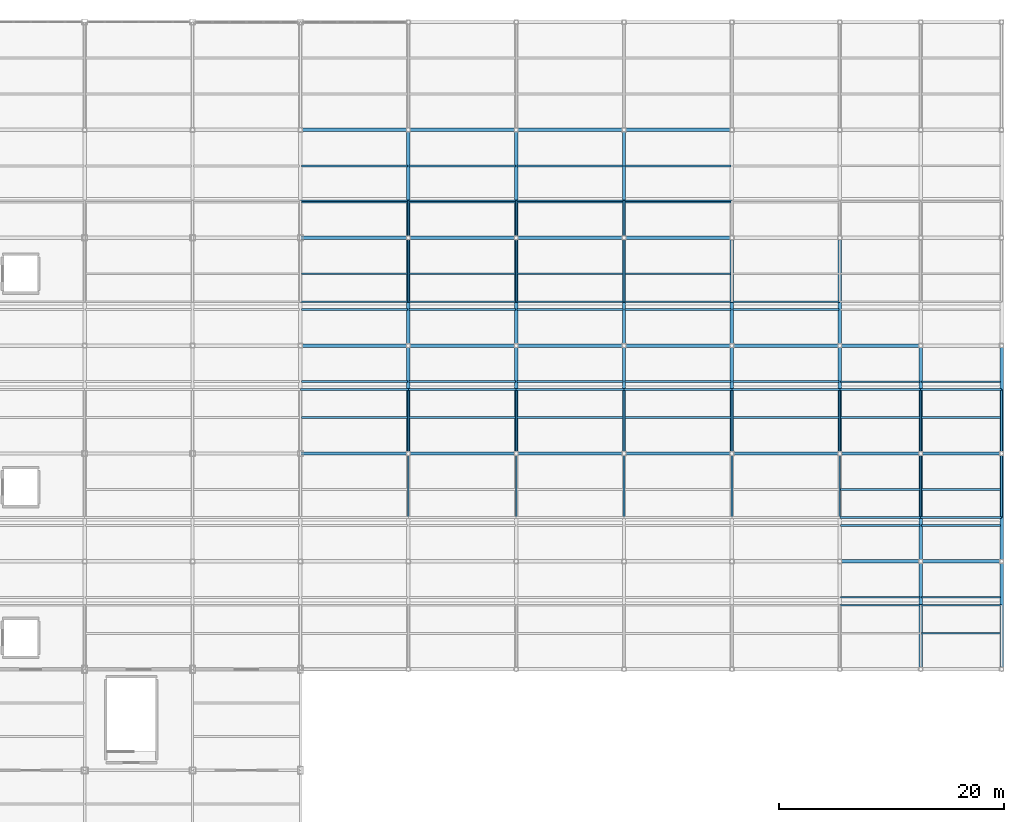
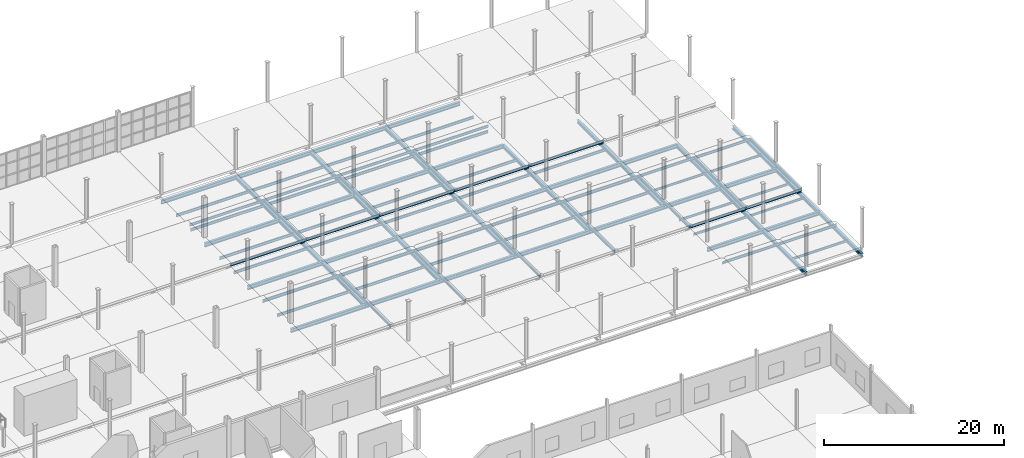
# One storey, part 42 of 85: 110 beams.
"""IFC4 building model written with IfcOpenShell, lengths in metres."""

from ifc_helpers import new_model, si_unit, direction, frame, origin, origin_2d, place, context, subcontext, project, spatial, i_section, extrude, material, material_profile, profile_set, type_object, element, save


model = new_model("IFC4")

# Units and contexts
model_context = context("Model", 3, precision=1e-05, world=origin(), true_north=direction((0.0, 1.0)))
body_context = subcontext(model_context, "Body", "Model", "MODEL_VIEW")
ifc_project = project(units=[si_unit("LENGTHUNIT", "METRE"), si_unit("AREAUNIT", "SQUARE_METRE"), si_unit("VOLUMEUNIT", "CUBIC_METRE"), si_unit("PLANEANGLEUNIT", "RADIAN"), si_unit("MASSUNIT", "GRAM", prefix="KILO")], contexts=[model_context])

# Site, building, storey
site_placement = place(None, origin())
site = spatial("IfcSite", under=ifc_project, at=site_placement, CompositionType="ELEMENT")
building_placement = place(site_placement, origin())
building = spatial("IfcBuilding", under=site, at=building_placement, Name="Zarnetskaya Central Station", CompositionType="ELEMENT")
storey_placement = place(building_placement, origin())
storey = spatial("IfcBuildingStorey", under=building, at=storey_placement, Name="L00", CompositionType="ELEMENT", Elevation=0.0)

# Beams
ifc_material = material(Name="Steel S355", Category="steel")
ifc_material_profile_1 = material_profile(ifc_material, i_section(OverallWidth=0.14990234375, OverallDepth=0.300048828125, WebThickness=0.007080078125, FlangeThickness=0.0107421875, FilletRadius=0.014892578125, at=origin_2d()), Name="IPE 300")
ifc_profile_set_1 = profile_set([ifc_material_profile_1], Name="Steel S355")
beam_type_1 = type_object("IfcBeamType", Name="BM-SEC-300", PredefinedType="BEAM", material=ifc_profile_set_1)
for number, where, z_axis, x_axis, name in (
    (1, (172.8798828125, 73.60009765625, -1.06005859375), (1.0, 0.0, 0.0), (0.0, 1.0, 0.0), "Secondary floor beam SEC-L00-Z91-UV-910-2"),
    (2, (172.8798828125, 80.0, -1.06005859375), (1.0, 0.0, 0.0), (0.0, 1.0, 0.0), "Secondary floor beam SEC-L00-Z91-UV-1011-1"),
    (3, (172.8798828125, 83.199951171875, -1.06005859375), (1.0, 0.0, 0.0), (0.0, 1.0, 0.0), "Secondary floor beam SEC-L00-Z91-UV-1011-2"),
    (4, (172.8798828125, 89.60009765625, -1.06005859375), (1.0, 0.0, 0.0), (0.0, 1.0, 0.0), "Secondary floor beam SEC-L00-Z91-UV-1112-1"),
    (5, (172.8798828125, 92.800048828125, -1.06005859375), (1.0, 0.0, 0.0), (0.0, 1.0, 0.0), "Secondary floor beam SEC-L00-Z91-UV-1112-2"),
    (6, (180.080078125, 70.39990234375, -1.06005859375), (1.0, 0.0, 0.0), (0.0, 1.0, 0.0), "Secondary floor beam SEC-L00-Z91-VW-910-1"),
    (7, (180.080078125, 73.60009765625, -1.06005859375), (1.0, 0.0, 0.0), (0.0, 1.0, 0.0), "Secondary floor beam SEC-L00-Z91-VW-910-2"),
    (8, (180.080078125, 80.0, -1.06005859375), (1.0, 0.0, 0.0), (0.0, 1.0, 0.0), "Secondary floor beam SEC-L00-Z91-VW-1011-1"),
    (9, (180.080078125, 83.199951171875, -1.06005859375), (1.0, 0.0, 0.0), (0.0, 1.0, 0.0), "Secondary floor beam SEC-L00-Z91-VW-1011-2"),
    (10, (180.080078125, 89.60009765625, -1.06005859375), (1.0, 0.0, 0.0), (0.0, 1.0, 0.0), "Secondary floor beam SEC-L00-Z91-VW-1112-1"),
    (11, (180.080078125, 92.800048828125, -1.06005859375), (1.0, 0.0, 0.0), (0.0, 1.0, 0.0), "Secondary floor beam SEC-L00-Z91-VW-1112-2"),
):
    element("IfcBeam", number, at=place(storey_placement, frame(where, z_axis=z_axis, x_axis=x_axis)), inside=storey, type_object=beam_type_1, Name=name, PredefinedType="BEAM", context=body_context, shape_type="SweptSolid", body=[
        extrude(i_section(OverallWidth=0.14990234375, OverallDepth=0.300048828125, WebThickness=0.007080078125, FlangeThickness=0.0107421875, FilletRadius=0.014892578125, at=origin_2d()), origin(), (0.0, 0.0, 1.0), 7.0400390625),
    ])
ifc_material_profile_2 = material_profile(ifc_material, i_section(OverallWidth=0.159912109375, OverallDepth=0.330078125, WebThickness=0.007568359375, FlangeThickness=0.011474609375, FilletRadius=0.01806640625, at=origin_2d()), Name="IPE 330")
ifc_profile_set_2 = profile_set([ifc_material_profile_2], Name="Steel S355")
beam_type_2 = type_object("IfcBeamType", Name="BM-SEC-330", PredefinedType="BEAM", material=ifc_profile_set_2)
for number, where, z_axis, x_axis, name in (
    (12, (172.800048828125, 72.89990234375, -0.455078125), (1.0, 0.0, 0.0), (0.0, 1.0, 0.0), "Platform north edge beam GX-PLT-P1-UV-N"),
    (13, (180.0, 72.89990234375, -0.455078125), (1.0, 0.0, 0.0), (0.0, 1.0, 0.0), "Platform north edge beam GX-PLT-P1-VW-N"),
):
    element("IfcBeam", number, at=place(storey_placement, frame(where, z_axis=z_axis, x_axis=x_axis)), inside=storey, type_object=beam_type_2, Name=name, PredefinedType="BEAM", context=body_context, shape_type="SweptSolid", body=[
        extrude(i_section(OverallWidth=0.159912109375, OverallDepth=0.330078125, WebThickness=0.007568359375, FlangeThickness=0.011474609375, FilletRadius=0.01806640625, at=origin_2d()), origin(), (0.0, 0.0, 1.0), 7.199951171875),
    ])
for number, where, z_axis, x_axis, name in (
    (14, (134.39990234375, 80.699951171875, -0.465087890625), (0.0, 1.0, 0.0), (-1.0, 0.0, 0.0), "Platform transverse bearer GY-PLT-P2-Q"),
    (15, (144.0, 80.699951171875, -0.455078125), (0.0, 1.0, 0.0), (-1.0, 0.0, 0.0), "Platform transverse bearer GY-PLT-P2-R"),
    (16, (153.60009765625, 80.699951171875, -0.455078125), (0.0, 1.0, 0.0), (-1.0, 0.0, 0.0), "Platform transverse bearer GY-PLT-P2-S"),
    (17, (163.199951171875, 80.699951171875, -0.455078125), (0.0, 1.0, 0.0), (-1.0, 0.0, 0.0), "Platform transverse bearer GY-PLT-P2-T"),
    (18, (172.800048828125, 80.699951171875, -0.455078125), (0.0, 1.0, 0.0), (-1.0, 0.0, 0.0), "Platform transverse bearer GY-PLT-P2-U"),
    (19, (180.0, 80.699951171875, -0.455078125), (0.0, 1.0, 0.0), (-1.0, 0.0, 0.0), "Platform transverse bearer GY-PLT-P2-V"),
    (20, (187.199951171875, 80.699951171875, -0.455078125), (0.0, 1.0, 0.0), (-1.0, 0.0, 0.0), "Platform transverse bearer GY-PLT-P2-W"),
):
    element("IfcBeam", number, at=place(storey_placement, frame(where, z_axis=z_axis, x_axis=x_axis)), inside=storey, type_object=beam_type_2, Name=name, PredefinedType="BEAM", context=body_context, shape_type="SweptSolid", body=[
        extrude(i_section(OverallWidth=0.159912109375, OverallDepth=0.330078125, WebThickness=0.007568359375, FlangeThickness=0.011474609375, FilletRadius=0.01806640625, at=origin_2d()), origin(), (0.0, 0.0, 1.0), 11.400146484375),
    ])
beam_1_placement = place(storey_placement, frame((124.800048828125, 92.10009765625, -0.465087890625), z_axis=(1.0, 0.0, 0.0), x_axis=(0.0, 1.0, 0.0)))
element("IfcBeam", 21, at=beam_1_placement, inside=storey, type_object=beam_type_2, Name="Platform north edge beam GX-PLT-P2-PQ-N", PredefinedType="BEAM", context=body_context, shape_type="SweptSolid", body=[
    extrude(i_section(OverallWidth=0.159912109375, OverallDepth=0.330078125, WebThickness=0.007568359375, FlangeThickness=0.011474609375, FilletRadius=0.01806640625, at=origin_2d()), origin(), (0.0, 0.0, 1.0), 9.599853515625),
])
for number, where, z_axis, x_axis, name in (
    (22, (134.39990234375, 92.10009765625, -0.455078125), (1.0, 0.0, 0.0), (0.0, 1.0, 0.0), "Platform north edge beam GX-PLT-P2-QR-N"),
    (23, (144.0, 92.10009765625, -0.455078125), (1.0, 0.0, 0.0), (0.0, 1.0, 0.0), "Platform north edge beam GX-PLT-P2-RS-N"),
):
    element("IfcBeam", number, at=place(storey_placement, frame(where, z_axis=z_axis, x_axis=x_axis)), inside=storey, type_object=beam_type_2, Name=name, PredefinedType="BEAM", context=body_context, shape_type="SweptSolid", body=[
        extrude(i_section(OverallWidth=0.159912109375, OverallDepth=0.330078125, WebThickness=0.007568359375, FlangeThickness=0.011474609375, FilletRadius=0.01806640625, at=origin_2d()), origin(), (0.0, 0.0, 1.0), 9.60009765625),
    ])
beam_2_placement = place(storey_placement, frame((153.60009765625, 92.10009765625, -0.455078125), z_axis=(1.0, 0.0, 0.0), x_axis=(0.0, 1.0, 0.0)))
element("IfcBeam", 24, at=beam_2_placement, inside=storey, type_object=beam_type_2, Name="Platform north edge beam GX-PLT-P2-ST-N", PredefinedType="BEAM", context=body_context, shape_type="SweptSolid", body=[
    extrude(i_section(OverallWidth=0.159912109375, OverallDepth=0.330078125, WebThickness=0.007568359375, FlangeThickness=0.011474609375, FilletRadius=0.01806640625, at=origin_2d()), origin(), (0.0, 0.0, 1.0), 9.599853515625),
])
beam_3_placement = place(storey_placement, frame((163.199951171875, 92.10009765625, -0.455078125), z_axis=(1.0, 0.0, 0.0), x_axis=(0.0, 1.0, 0.0)))
element("IfcBeam", 25, at=beam_3_placement, inside=storey, type_object=beam_type_2, Name="Platform north edge beam GX-PLT-P2-TU-N", PredefinedType="BEAM", context=body_context, shape_type="SweptSolid", body=[
    extrude(i_section(OverallWidth=0.159912109375, OverallDepth=0.330078125, WebThickness=0.007568359375, FlangeThickness=0.011474609375, FilletRadius=0.01806640625, at=origin_2d()), origin(), (0.0, 0.0, 1.0), 9.60009765625),
])
for number, where, z_axis, x_axis, name in (
    (26, (172.800048828125, 80.699951171875, -0.455078125), (1.0, 0.0, 0.0), (0.0, 1.0, 0.0), "Platform south edge beam GX-PLT-P2-UV-S"),
    (27, (172.800048828125, 92.10009765625, -0.455078125), (1.0, 0.0, 0.0), (0.0, 1.0, 0.0), "Platform north edge beam GX-PLT-P2-UV-N"),
    (28, (180.0, 80.699951171875, -0.455078125), (1.0, 0.0, 0.0), (0.0, 1.0, 0.0), "Platform south edge beam GX-PLT-P2-VW-S"),
    (29, (180.0, 92.10009765625, -0.455078125), (1.0, 0.0, 0.0), (0.0, 1.0, 0.0), "Platform north edge beam GX-PLT-P2-VW-N"),
):
    element("IfcBeam", number, at=place(storey_placement, frame(where, z_axis=z_axis, x_axis=x_axis)), inside=storey, type_object=beam_type_2, Name=name, PredefinedType="BEAM", context=body_context, shape_type="SweptSolid", body=[
        extrude(i_section(OverallWidth=0.159912109375, OverallDepth=0.330078125, WebThickness=0.007568359375, FlangeThickness=0.011474609375, FilletRadius=0.01806640625, at=origin_2d()), origin(), (0.0, 0.0, 1.0), 7.199951171875),
    ])
for number, where, z_axis, x_axis, name in (
    (30, (134.39990234375, 99.89990234375, -0.465087890625), (0.0, 1.0, 0.0), (-1.0, 0.0, 0.0), "Platform transverse bearer GY-PLT-P3-Q"),
    (31, (144.0, 99.89990234375, -0.455078125), (0.0, 1.0, 0.0), (-1.0, 0.0, 0.0), "Platform transverse bearer GY-PLT-P3-R"),
    (32, (153.60009765625, 99.89990234375, -0.455078125), (0.0, 1.0, 0.0), (-1.0, 0.0, 0.0), "Platform transverse bearer GY-PLT-P3-S"),
):
    element("IfcBeam", number, at=place(storey_placement, frame(where, z_axis=z_axis, x_axis=x_axis)), inside=storey, type_object=beam_type_2, Name=name, PredefinedType="BEAM", context=body_context, shape_type="SweptSolid", body=[
        extrude(i_section(OverallWidth=0.159912109375, OverallDepth=0.330078125, WebThickness=0.007568359375, FlangeThickness=0.011474609375, FilletRadius=0.01806640625, at=origin_2d()), origin(), (0.0, 0.0, 1.0), 9.0),
    ])
for number, where, z_axis, x_axis, name in (
    (33, (124.800048828125, 99.89990234375, -0.465087890625), (1.0, 0.0, 0.0), (0.0, 1.0, 0.0), "Platform south edge beam GX-PLT-P3-PQ-S"),
    (34, (124.800048828125, 108.89990234375, -0.465087890625), (1.0, 0.0, 0.0), (0.0, 1.0, 0.0), "Platform north edge beam GX-PLT-P3-PQ-N"),
):
    element("IfcBeam", number, at=place(storey_placement, frame(where, z_axis=z_axis, x_axis=x_axis)), inside=storey, type_object=beam_type_2, Name=name, PredefinedType="BEAM", context=body_context, shape_type="SweptSolid", body=[
        extrude(i_section(OverallWidth=0.159912109375, OverallDepth=0.330078125, WebThickness=0.007568359375, FlangeThickness=0.011474609375, FilletRadius=0.01806640625, at=origin_2d()), origin(), (0.0, 0.0, 1.0), 9.599853515625),
    ])
for number, where, z_axis, x_axis, name in (
    (35, (134.39990234375, 99.89990234375, -0.455078125), (1.0, 0.0, 0.0), (0.0, 1.0, 0.0), "Platform south edge beam GX-PLT-P3-QR-S"),
    (36, (134.39990234375, 108.89990234375, -0.455078125), (1.0, 0.0, 0.0), (0.0, 1.0, 0.0), "Platform north edge beam GX-PLT-P3-QR-N"),
    (37, (144.0, 99.89990234375, -0.455078125), (1.0, 0.0, 0.0), (0.0, 1.0, 0.0), "Platform south edge beam GX-PLT-P3-RS-S"),
    (38, (144.0, 108.89990234375, -0.455078125), (1.0, 0.0, 0.0), (0.0, 1.0, 0.0), "Platform north edge beam GX-PLT-P3-RS-N"),
):
    element("IfcBeam", number, at=place(storey_placement, frame(where, z_axis=z_axis, x_axis=x_axis)), inside=storey, type_object=beam_type_2, Name=name, PredefinedType="BEAM", context=body_context, shape_type="SweptSolid", body=[
        extrude(i_section(OverallWidth=0.159912109375, OverallDepth=0.330078125, WebThickness=0.007568359375, FlangeThickness=0.011474609375, FilletRadius=0.01806640625, at=origin_2d()), origin(), (0.0, 0.0, 1.0), 9.60009765625),
    ])
for number, where, z_axis, x_axis, name in (
    (39, (153.60009765625, 99.89990234375, -0.455078125), (1.0, 0.0, 0.0), (0.0, 1.0, 0.0), "Platform south edge beam GX-PLT-P3-ST-S"),
    (40, (153.60009765625, 108.89990234375, -0.455078125), (1.0, 0.0, 0.0), (0.0, 1.0, 0.0), "Platform north edge beam GX-PLT-P3-ST-N"),
):
    element("IfcBeam", number, at=place(storey_placement, frame(where, z_axis=z_axis, x_axis=x_axis)), inside=storey, type_object=beam_type_2, Name=name, PredefinedType="BEAM", context=body_context, shape_type="SweptSolid", body=[
        extrude(i_section(OverallWidth=0.159912109375, OverallDepth=0.330078125, WebThickness=0.007568359375, FlangeThickness=0.011474609375, FilletRadius=0.01806640625, at=origin_2d()), origin(), (0.0, 0.0, 1.0), 9.599853515625),
    ])
beam_4_placement = place(storey_placement, frame((163.199951171875, 99.89990234375, -0.455078125), z_axis=(1.0, 0.0, 0.0), x_axis=(0.0, 1.0, 0.0)))
element("IfcBeam", 41, at=beam_4_placement, inside=storey, type_object=beam_type_2, Name="Platform south edge beam GX-PLT-P3-TU-S", PredefinedType="BEAM", context=body_context, shape_type="SweptSolid", body=[
    extrude(i_section(OverallWidth=0.159912109375, OverallDepth=0.330078125, WebThickness=0.007568359375, FlangeThickness=0.011474609375, FilletRadius=0.01806640625, at=origin_2d()), origin(), (0.0, 0.0, 1.0), 9.60009765625),
])
ifc_material_profile_3 = material_profile(ifc_material, i_section(OverallWidth=0.169921875, OverallDepth=0.360107421875, WebThickness=0.008056640625, FlangeThickness=0.0126953125, FilletRadius=0.01806640625, at=origin_2d()), Name="IPE 360")
ifc_profile_set_3 = profile_set([ifc_material_profile_3], Name="Steel S355")
beam_type_3 = type_object("IfcBeamType", Name="BM-SEC-360", PredefinedType="BEAM", material=ifc_profile_set_3)
for number, where, z_axis, x_axis, name in (
    (42, (124.8798828125, 89.60009765625, -1.090087890625), (1.0, 0.0, 0.0), (0.0, 1.0, 0.0), "Secondary floor beam SEC-L00-Z91-PQ-1112-1"),
    (43, (124.8798828125, 92.800048828125, -1.090087890625), (1.0, 0.0, 0.0), (0.0, 1.0, 0.0), "Secondary floor beam SEC-L00-Z91-PQ-1112-2"),
    (44, (124.8798828125, 99.199951171875, -1.090087890625), (1.0, 0.0, 0.0), (0.0, 1.0, 0.0), "Secondary floor beam SEC-L00-Z91-PQ-1213-1"),
    (45, (124.8798828125, 102.39990234375, -1.090087890625), (1.0, 0.0, 0.0), (0.0, 1.0, 0.0), "Secondary floor beam SEC-L00-Z91-PQ-1213-2"),
    (46, (124.8798828125, 108.800048828125, -1.090087890625), (1.0, 0.0, 0.0), (0.0, 1.0, 0.0), "Secondary floor beam SEC-L00-Z91-PQ-1314-1"),
    (47, (124.8798828125, 112.0, -1.090087890625), (1.0, 0.0, 0.0), (0.0, 1.0, 0.0), "Secondary floor beam SEC-L00-Z91-PQ-1314-2"),
):
    element("IfcBeam", number, at=place(storey_placement, frame(where, z_axis=z_axis, x_axis=x_axis)), inside=storey, type_object=beam_type_3, Name=name, PredefinedType="BEAM", context=body_context, shape_type="SweptSolid", body=[
        extrude(i_section(OverallWidth=0.169921875, OverallDepth=0.360107421875, WebThickness=0.008056640625, FlangeThickness=0.0126953125, FilletRadius=0.01806640625, at=origin_2d()), origin(), (0.0, 0.0, 1.0), 9.440185546875),
    ])
for number, where, z_axis, x_axis, name in (
    (48, (134.47998046875, 89.60009765625, -1.090087890625), (1.0, 0.0, 0.0), (0.0, 1.0, 0.0), "Secondary floor beam SEC-L00-Z91-QR-1112-1"),
    (49, (134.47998046875, 92.800048828125, -1.090087890625), (1.0, 0.0, 0.0), (0.0, 1.0, 0.0), "Secondary floor beam SEC-L00-Z91-QR-1112-2"),
    (50, (134.47998046875, 99.199951171875, -1.090087890625), (1.0, 0.0, 0.0), (0.0, 1.0, 0.0), "Secondary floor beam SEC-L00-Z91-QR-1213-1"),
    (51, (134.47998046875, 102.39990234375, -1.090087890625), (1.0, 0.0, 0.0), (0.0, 1.0, 0.0), "Secondary floor beam SEC-L00-Z91-QR-1213-2"),
    (52, (134.47998046875, 108.800048828125, -1.090087890625), (1.0, 0.0, 0.0), (0.0, 1.0, 0.0), "Secondary floor beam SEC-L00-Z91-QR-1314-1"),
    (53, (134.47998046875, 112.0, -1.090087890625), (1.0, 0.0, 0.0), (0.0, 1.0, 0.0), "Secondary floor beam SEC-L00-Z91-QR-1314-2"),
    (54, (144.080078125, 89.60009765625, -1.090087890625), (1.0, 0.0, 0.0), (0.0, 1.0, 0.0), "Secondary floor beam SEC-L00-Z91-RS-1112-1"),
    (55, (144.080078125, 92.800048828125, -1.090087890625), (1.0, 0.0, 0.0), (0.0, 1.0, 0.0), "Secondary floor beam SEC-L00-Z91-RS-1112-2"),
    (56, (144.080078125, 99.199951171875, -1.090087890625), (1.0, 0.0, 0.0), (0.0, 1.0, 0.0), "Secondary floor beam SEC-L00-Z91-RS-1213-1"),
    (57, (144.080078125, 102.39990234375, -1.090087890625), (1.0, 0.0, 0.0), (0.0, 1.0, 0.0), "Secondary floor beam SEC-L00-Z91-RS-1213-2"),
    (58, (144.080078125, 108.800048828125, -1.090087890625), (1.0, 0.0, 0.0), (0.0, 1.0, 0.0), "Secondary floor beam SEC-L00-Z91-RS-1314-1"),
    (59, (144.080078125, 112.0, -1.090087890625), (1.0, 0.0, 0.0), (0.0, 1.0, 0.0), "Secondary floor beam SEC-L00-Z91-RS-1314-2"),
):
    element("IfcBeam", number, at=place(storey_placement, frame(where, z_axis=z_axis, x_axis=x_axis)), inside=storey, type_object=beam_type_3, Name=name, PredefinedType="BEAM", context=body_context, shape_type="SweptSolid", body=[
        extrude(i_section(OverallWidth=0.169921875, OverallDepth=0.360107421875, WebThickness=0.008056640625, FlangeThickness=0.0126953125, FilletRadius=0.01806640625, at=origin_2d()), origin(), (0.0, 0.0, 1.0), 9.43994140625),
    ])
for number, where, z_axis, x_axis, name in (
    (60, (153.679931640625, 89.60009765625, -1.090087890625), (1.0, 0.0, 0.0), (0.0, 1.0, 0.0), "Secondary floor beam SEC-L00-Z91-ST-1112-1"),
    (61, (153.679931640625, 92.800048828125, -1.090087890625), (1.0, 0.0, 0.0), (0.0, 1.0, 0.0), "Secondary floor beam SEC-L00-Z91-ST-1112-2"),
    (62, (153.679931640625, 99.199951171875, -1.090087890625), (1.0, 0.0, 0.0), (0.0, 1.0, 0.0), "Secondary floor beam SEC-L00-Z91-ST-1213-1"),
    (63, (153.679931640625, 102.39990234375, -1.090087890625), (1.0, 0.0, 0.0), (0.0, 1.0, 0.0), "Secondary floor beam SEC-L00-Z91-ST-1213-2"),
    (64, (153.679931640625, 108.800048828125, -1.090087890625), (1.0, 0.0, 0.0), (0.0, 1.0, 0.0), "Secondary floor beam SEC-L00-Z91-ST-1314-1"),
    (65, (153.679931640625, 112.0, -1.090087890625), (1.0, 0.0, 0.0), (0.0, 1.0, 0.0), "Secondary floor beam SEC-L00-Z91-ST-1314-2"),
):
    element("IfcBeam", number, at=place(storey_placement, frame(where, z_axis=z_axis, x_axis=x_axis)), inside=storey, type_object=beam_type_3, Name=name, PredefinedType="BEAM", context=body_context, shape_type="SweptSolid", body=[
        extrude(i_section(OverallWidth=0.169921875, OverallDepth=0.360107421875, WebThickness=0.008056640625, FlangeThickness=0.0126953125, FilletRadius=0.01806640625, at=origin_2d()), origin(), (0.0, 0.0, 1.0), 9.440185546875),
    ])
for number, where, z_axis, x_axis, name in (
    (66, (163.280029296875, 89.60009765625, -1.090087890625), (1.0, 0.0, 0.0), (0.0, 1.0, 0.0), "Secondary floor beam SEC-L00-Z91-TU-1112-1"),
    (67, (163.280029296875, 92.800048828125, -1.090087890625), (1.0, 0.0, 0.0), (0.0, 1.0, 0.0), "Secondary floor beam SEC-L00-Z91-TU-1112-2"),
    (68, (163.280029296875, 99.199951171875, -1.090087890625), (1.0, 0.0, 0.0), (0.0, 1.0, 0.0), "Secondary floor beam SEC-L00-Z91-TU-1213-1"),
):
    element("IfcBeam", number, at=place(storey_placement, frame(where, z_axis=z_axis, x_axis=x_axis)), inside=storey, type_object=beam_type_3, Name=name, PredefinedType="BEAM", context=body_context, shape_type="SweptSolid", body=[
        extrude(i_section(OverallWidth=0.169921875, OverallDepth=0.360107421875, WebThickness=0.008056640625, FlangeThickness=0.0126953125, FilletRadius=0.01806640625, at=origin_2d()), origin(), (0.0, 0.0, 1.0), 9.43994140625),
    ])
ifc_material_profile_4 = material_profile(ifc_material, i_section(OverallWidth=0.300048828125, OverallDepth=0.449951171875, WebThickness=0.013916015625, FlangeThickness=0.02587890625, FilletRadius=0.027099609375, at=origin_2d()), Name="HEB 450")
ifc_profile_set_4 = profile_set([ifc_material_profile_4], Name="Steel S355")
beam_type_4 = type_object("IfcBeamType", Name="GD-SUB-450", PredefinedType="USERDEFINED", material=ifc_profile_set_4)
for number, where, z_axis, x_axis, name in (
    (69, (134.39990234375, 86.39990234375, -1.135009765625), (0.0, 1.0, 0.0), (-1.0, 0.0, 0.0), "Grid girder GY-L00-Q-1112"),
    (70, (134.39990234375, 96.0, -1.135009765625), (0.0, 1.0, 0.0), (-1.0, 0.0, 0.0), "Grid girder GY-L00-Q-1213"),
):
    element("IfcBeam", number, at=place(storey_placement, frame(where, z_axis=z_axis, x_axis=x_axis)), inside=storey, type_object=beam_type_4, Name=name, ObjectType="GIRDER", PredefinedType="USERDEFINED", context=body_context, shape_type="SweptSolid", body=[
        extrude(i_section(OverallWidth=0.300048828125, OverallDepth=0.449951171875, WebThickness=0.013916015625, FlangeThickness=0.02587890625, FilletRadius=0.027099609375, at=origin_2d()), origin(), (0.0, 0.0, 1.0), 9.60009765625),
    ])
beam_5_placement = place(storey_placement, frame((134.39990234375, 105.60009765625, -1.135009765625), z_axis=(0.0, 1.0, 0.0), x_axis=(-1.0, 0.0, 0.0)))
element("IfcBeam", 71, at=beam_5_placement, inside=storey, type_object=beam_type_4, Name="Grid girder GY-L00-Q-1314", ObjectType="GIRDER", PredefinedType="USERDEFINED", context=body_context, shape_type="SweptSolid", body=[
    extrude(i_section(OverallWidth=0.300048828125, OverallDepth=0.449951171875, WebThickness=0.013916015625, FlangeThickness=0.02587890625, FilletRadius=0.027099609375, at=origin_2d()), origin(), (0.0, 0.0, 1.0), 9.599853515625),
])
for number, where, z_axis, x_axis, name in (
    (72, (144.0, 86.39990234375, -1.135009765625), (0.0, 1.0, 0.0), (-1.0, 0.0, 0.0), "Grid girder GY-L00-R-1112"),
    (73, (144.0, 96.0, -1.135009765625), (0.0, 1.0, 0.0), (-1.0, 0.0, 0.0), "Grid girder GY-L00-R-1213"),
):
    element("IfcBeam", number, at=place(storey_placement, frame(where, z_axis=z_axis, x_axis=x_axis)), inside=storey, type_object=beam_type_4, Name=name, ObjectType="GIRDER", PredefinedType="USERDEFINED", context=body_context, shape_type="SweptSolid", body=[
        extrude(i_section(OverallWidth=0.300048828125, OverallDepth=0.449951171875, WebThickness=0.013916015625, FlangeThickness=0.02587890625, FilletRadius=0.027099609375, at=origin_2d()), origin(), (0.0, 0.0, 1.0), 9.60009765625),
    ])
beam_6_placement = place(storey_placement, frame((144.0, 105.60009765625, -1.135009765625), z_axis=(0.0, 1.0, 0.0), x_axis=(-1.0, 0.0, 0.0)))
element("IfcBeam", 74, at=beam_6_placement, inside=storey, type_object=beam_type_4, Name="Grid girder GY-L00-R-1314", ObjectType="GIRDER", PredefinedType="USERDEFINED", context=body_context, shape_type="SweptSolid", body=[
    extrude(i_section(OverallWidth=0.300048828125, OverallDepth=0.449951171875, WebThickness=0.013916015625, FlangeThickness=0.02587890625, FilletRadius=0.027099609375, at=origin_2d()), origin(), (0.0, 0.0, 1.0), 9.599853515625),
])
for number, where, z_axis, x_axis, name in (
    (75, (153.60009765625, 86.39990234375, -1.135009765625), (0.0, 1.0, 0.0), (-1.0, 0.0, 0.0), "Grid girder GY-L00-S-1112"),
    (76, (153.60009765625, 96.0, -1.135009765625), (0.0, 1.0, 0.0), (-1.0, 0.0, 0.0), "Grid girder GY-L00-S-1213"),
):
    element("IfcBeam", number, at=place(storey_placement, frame(where, z_axis=z_axis, x_axis=x_axis)), inside=storey, type_object=beam_type_4, Name=name, ObjectType="GIRDER", PredefinedType="USERDEFINED", context=body_context, shape_type="SweptSolid", body=[
        extrude(i_section(OverallWidth=0.300048828125, OverallDepth=0.449951171875, WebThickness=0.013916015625, FlangeThickness=0.02587890625, FilletRadius=0.027099609375, at=origin_2d()), origin(), (0.0, 0.0, 1.0), 9.60009765625),
    ])
beam_7_placement = place(storey_placement, frame((153.60009765625, 105.60009765625, -1.135009765625), z_axis=(0.0, 1.0, 0.0), x_axis=(-1.0, 0.0, 0.0)))
element("IfcBeam", 77, at=beam_7_placement, inside=storey, type_object=beam_type_4, Name="Grid girder GY-L00-S-1314", ObjectType="GIRDER", PredefinedType="USERDEFINED", context=body_context, shape_type="SweptSolid", body=[
    extrude(i_section(OverallWidth=0.300048828125, OverallDepth=0.449951171875, WebThickness=0.013916015625, FlangeThickness=0.02587890625, FilletRadius=0.027099609375, at=origin_2d()), origin(), (0.0, 0.0, 1.0), 9.599853515625),
])
for number, where, z_axis, x_axis, name in (
    (78, (163.199951171875, 86.39990234375, -1.135009765625), (0.0, 1.0, 0.0), (-1.0, 0.0, 0.0), "Grid girder GY-L00-T-1112"),
    (79, (163.199951171875, 96.0, -1.135009765625), (0.0, 1.0, 0.0), (-1.0, 0.0, 0.0), "Grid girder GY-L00-T-1213"),
    (80, (172.800048828125, 86.39990234375, -1.135009765625), (0.0, 1.0, 0.0), (-1.0, 0.0, 0.0), "Grid girder GY-L00-U-1112"),
    (81, (172.800048828125, 96.0, -1.135009765625), (0.0, 1.0, 0.0), (-1.0, 0.0, 0.0), "Grid girder GY-L00-U-1213"),
    (82, (180.0, 67.199951171875, -1.135009765625), (0.0, 1.0, 0.0), (-1.0, 0.0, 0.0), "Grid girder GY-L00-V-910"),
):
    element("IfcBeam", number, at=place(storey_placement, frame(where, z_axis=z_axis, x_axis=x_axis)), inside=storey, type_object=beam_type_4, Name=name, ObjectType="GIRDER", PredefinedType="USERDEFINED", context=body_context, shape_type="SweptSolid", body=[
        extrude(i_section(OverallWidth=0.300048828125, OverallDepth=0.449951171875, WebThickness=0.013916015625, FlangeThickness=0.02587890625, FilletRadius=0.027099609375, at=origin_2d()), origin(), (0.0, 0.0, 1.0), 9.60009765625),
    ])
beam_8_placement = place(storey_placement, frame((180.0, 76.800048828125, -1.135009765625), z_axis=(0.0, 1.0, 0.0), x_axis=(-1.0, 0.0, 0.0)))
element("IfcBeam", 83, at=beam_8_placement, inside=storey, type_object=beam_type_4, Name="Grid girder GY-L00-V-1011", ObjectType="GIRDER", PredefinedType="USERDEFINED", context=body_context, shape_type="SweptSolid", body=[
    extrude(i_section(OverallWidth=0.300048828125, OverallDepth=0.449951171875, WebThickness=0.013916015625, FlangeThickness=0.02587890625, FilletRadius=0.027099609375, at=origin_2d()), origin(), (0.0, 0.0, 1.0), 9.599853515625),
])
for number, where, z_axis, x_axis, name in (
    (84, (180.0, 86.39990234375, -1.135009765625), (0.0, 1.0, 0.0), (-1.0, 0.0, 0.0), "Grid girder GY-L00-V-1112"),
    (85, (187.199951171875, 67.199951171875, -1.135009765625), (0.0, 1.0, 0.0), (-1.0, 0.0, 0.0), "Grid girder GY-L00-W-910"),
):
    element("IfcBeam", number, at=place(storey_placement, frame(where, z_axis=z_axis, x_axis=x_axis)), inside=storey, type_object=beam_type_4, Name=name, ObjectType="GIRDER", PredefinedType="USERDEFINED", context=body_context, shape_type="SweptSolid", body=[
        extrude(i_section(OverallWidth=0.300048828125, OverallDepth=0.449951171875, WebThickness=0.013916015625, FlangeThickness=0.02587890625, FilletRadius=0.027099609375, at=origin_2d()), origin(), (0.0, 0.0, 1.0), 9.60009765625),
    ])
beam_9_placement = place(storey_placement, frame((187.199951171875, 76.800048828125, -1.135009765625), z_axis=(0.0, 1.0, 0.0), x_axis=(-1.0, 0.0, 0.0)))
element("IfcBeam", 86, at=beam_9_placement, inside=storey, type_object=beam_type_4, Name="Grid girder GY-L00-W-1011", ObjectType="GIRDER", PredefinedType="USERDEFINED", context=body_context, shape_type="SweptSolid", body=[
    extrude(i_section(OverallWidth=0.300048828125, OverallDepth=0.449951171875, WebThickness=0.013916015625, FlangeThickness=0.02587890625, FilletRadius=0.027099609375, at=origin_2d()), origin(), (0.0, 0.0, 1.0), 9.599853515625),
])
beam_10_placement = place(storey_placement, frame((187.199951171875, 86.39990234375, -1.135009765625), z_axis=(0.0, 1.0, 0.0), x_axis=(-1.0, 0.0, 0.0)))
element("IfcBeam", 87, at=beam_10_placement, inside=storey, type_object=beam_type_4, Name="Grid girder GY-L00-W-1112", ObjectType="GIRDER", PredefinedType="USERDEFINED", context=body_context, shape_type="SweptSolid", body=[
    extrude(i_section(OverallWidth=0.300048828125, OverallDepth=0.449951171875, WebThickness=0.013916015625, FlangeThickness=0.02587890625, FilletRadius=0.027099609375, at=origin_2d()), origin(), (0.0, 0.0, 1.0), 9.60009765625),
])
ifc_material_profile_5 = material_profile(ifc_material, i_section(OverallWidth=0.300048828125, OverallDepth=0.5, WebThickness=0.014404296875, FlangeThickness=0.028076171875, FilletRadius=0.027099609375, at=origin_2d()), Name="HEB 500")
ifc_profile_set_5 = profile_set([ifc_material_profile_5], Name="Steel S355")
beam_type_5 = type_object("IfcBeamType", Name="GD-SUB-500", PredefinedType="USERDEFINED", material=ifc_profile_set_5)
for number, where, z_axis, x_axis, name in (
    (88, (124.800048828125, 86.39990234375, -1.159912109375), (1.0, 0.0, 0.0), (0.0, 1.0, 0.0), "Grid girder GX-L00-11-PQ"),
    (89, (124.800048828125, 96.0, -1.159912109375), (1.0, 0.0, 0.0), (0.0, 1.0, 0.0), "Grid girder GX-L00-12-PQ"),
    (90, (124.800048828125, 105.60009765625, -1.159912109375), (1.0, 0.0, 0.0), (0.0, 1.0, 0.0), "Grid girder GX-L00-13-PQ"),
    (91, (124.800048828125, 115.199951171875, -1.159912109375), (1.0, 0.0, 0.0), (0.0, 1.0, 0.0), "Grid girder GX-L00-14-PQ"),
):
    element("IfcBeam", number, at=place(storey_placement, frame(where, z_axis=z_axis, x_axis=x_axis)), inside=storey, type_object=beam_type_5, Name=name, ObjectType="GIRDER", PredefinedType="USERDEFINED", context=body_context, shape_type="SweptSolid", body=[
        extrude(i_section(OverallWidth=0.300048828125, OverallDepth=0.5, WebThickness=0.014404296875, FlangeThickness=0.028076171875, FilletRadius=0.027099609375, at=origin_2d()), origin(), (0.0, 0.0, 1.0), 9.599853515625),
    ])
for number, where, z_axis, x_axis, name in (
    (92, (134.39990234375, 86.39990234375, -1.159912109375), (1.0, 0.0, 0.0), (0.0, 1.0, 0.0), "Grid girder GX-L00-11-QR"),
    (93, (134.39990234375, 96.0, -1.159912109375), (1.0, 0.0, 0.0), (0.0, 1.0, 0.0), "Grid girder GX-L00-12-QR"),
    (94, (134.39990234375, 105.60009765625, -1.159912109375), (1.0, 0.0, 0.0), (0.0, 1.0, 0.0), "Grid girder GX-L00-13-QR"),
    (95, (134.39990234375, 115.199951171875, -1.159912109375), (1.0, 0.0, 0.0), (0.0, 1.0, 0.0), "Grid girder GX-L00-14-QR"),
    (96, (144.0, 86.39990234375, -1.159912109375), (1.0, 0.0, 0.0), (0.0, 1.0, 0.0), "Grid girder GX-L00-11-RS"),
    (97, (144.0, 96.0, -1.159912109375), (1.0, 0.0, 0.0), (0.0, 1.0, 0.0), "Grid girder GX-L00-12-RS"),
    (98, (144.0, 105.60009765625, -1.159912109375), (1.0, 0.0, 0.0), (0.0, 1.0, 0.0), "Grid girder GX-L00-13-RS"),
    (99, (144.0, 115.199951171875, -1.159912109375), (1.0, 0.0, 0.0), (0.0, 1.0, 0.0), "Grid girder GX-L00-14-RS"),
):
    element("IfcBeam", number, at=place(storey_placement, frame(where, z_axis=z_axis, x_axis=x_axis)), inside=storey, type_object=beam_type_5, Name=name, ObjectType="GIRDER", PredefinedType="USERDEFINED", context=body_context, shape_type="SweptSolid", body=[
        extrude(i_section(OverallWidth=0.300048828125, OverallDepth=0.5, WebThickness=0.014404296875, FlangeThickness=0.028076171875, FilletRadius=0.027099609375, at=origin_2d()), origin(), (0.0, 0.0, 1.0), 9.60009765625),
    ])
for number, where, z_axis, x_axis, name in (
    (100, (153.60009765625, 86.39990234375, -1.159912109375), (1.0, 0.0, 0.0), (0.0, 1.0, 0.0), "Grid girder GX-L00-11-ST"),
    (101, (153.60009765625, 96.0, -1.159912109375), (1.0, 0.0, 0.0), (0.0, 1.0, 0.0), "Grid girder GX-L00-12-ST"),
    (102, (153.60009765625, 105.60009765625, -1.159912109375), (1.0, 0.0, 0.0), (0.0, 1.0, 0.0), "Grid girder GX-L00-13-ST"),
    (103, (153.60009765625, 115.199951171875, -1.159912109375), (1.0, 0.0, 0.0), (0.0, 1.0, 0.0), "Grid girder GX-L00-14-ST"),
):
    element("IfcBeam", number, at=place(storey_placement, frame(where, z_axis=z_axis, x_axis=x_axis)), inside=storey, type_object=beam_type_5, Name=name, ObjectType="GIRDER", PredefinedType="USERDEFINED", context=body_context, shape_type="SweptSolid", body=[
        extrude(i_section(OverallWidth=0.300048828125, OverallDepth=0.5, WebThickness=0.014404296875, FlangeThickness=0.028076171875, FilletRadius=0.027099609375, at=origin_2d()), origin(), (0.0, 0.0, 1.0), 9.599853515625),
    ])
for number, where, z_axis, x_axis, name in (
    (104, (163.199951171875, 86.39990234375, -1.159912109375), (1.0, 0.0, 0.0), (0.0, 1.0, 0.0), "Grid girder GX-L00-11-TU"),
    (105, (163.199951171875, 96.0, -1.159912109375), (1.0, 0.0, 0.0), (0.0, 1.0, 0.0), "Grid girder GX-L00-12-TU"),
):
    element("IfcBeam", number, at=place(storey_placement, frame(where, z_axis=z_axis, x_axis=x_axis)), inside=storey, type_object=beam_type_5, Name=name, ObjectType="GIRDER", PredefinedType="USERDEFINED", context=body_context, shape_type="SweptSolid", body=[
        extrude(i_section(OverallWidth=0.300048828125, OverallDepth=0.5, WebThickness=0.014404296875, FlangeThickness=0.028076171875, FilletRadius=0.027099609375, at=origin_2d()), origin(), (0.0, 0.0, 1.0), 9.60009765625),
    ])
for number, where, z_axis, x_axis, name in (
    (106, (172.800048828125, 76.800048828125, -1.159912109375), (1.0, 0.0, 0.0), (0.0, 1.0, 0.0), "Grid girder GX-L00-10-UV"),
    (107, (172.800048828125, 86.39990234375, -1.159912109375), (1.0, 0.0, 0.0), (0.0, 1.0, 0.0), "Grid girder GX-L00-11-UV"),
    (108, (172.800048828125, 96.0, -1.159912109375), (1.0, 0.0, 0.0), (0.0, 1.0, 0.0), "Grid girder GX-L00-12-UV"),
    (109, (180.0, 76.800048828125, -1.159912109375), (1.0, 0.0, 0.0), (0.0, 1.0, 0.0), "Grid girder GX-L00-10-VW"),
    (110, (180.0, 86.39990234375, -1.159912109375), (1.0, 0.0, 0.0), (0.0, 1.0, 0.0), "Grid girder GX-L00-11-VW"),
):
    element("IfcBeam", number, at=place(storey_placement, frame(where, z_axis=z_axis, x_axis=x_axis)), inside=storey, type_object=beam_type_5, Name=name, ObjectType="GIRDER", PredefinedType="USERDEFINED", context=body_context, shape_type="SweptSolid", body=[
        extrude(i_section(OverallWidth=0.300048828125, OverallDepth=0.5, WebThickness=0.014404296875, FlangeThickness=0.028076171875, FilletRadius=0.027099609375, at=origin_2d()), origin(), (0.0, 0.0, 1.0), 7.199951171875),
    ])

save(model, "model.ifc")
